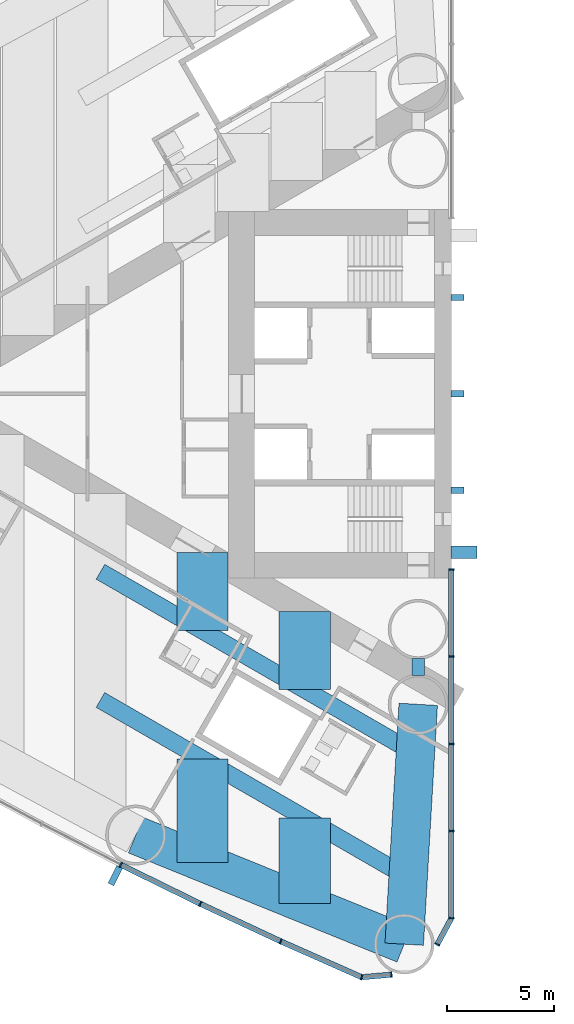
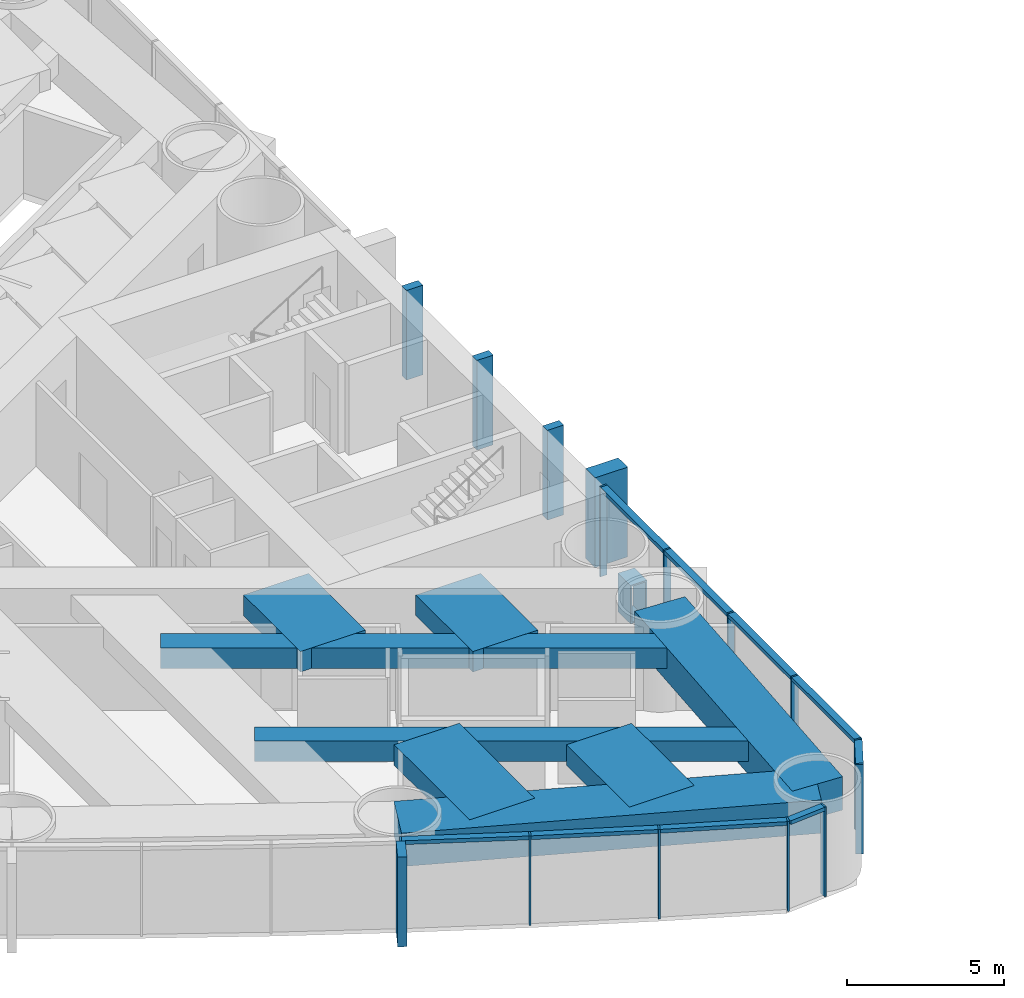
# One storey, part 3 of 19: 25 members, 9 beams, 2 elements without a shape of their own.
"""IFC4 building model written with IfcOpenShell, lengths in metres."""

from ifc_helpers import new_model, si_unit, direction, frame, origin, origin_2d, place, context, subcontext, project, spatial, rectangle, hollow_rectangle, extrude, material, material_profile, profile_set, type_object, element, aggregate, save


model = new_model("IFC4")

# Units and contexts
model_context = context("Model", 3, precision=1e-05, world=origin(), true_north=direction((0.0, 1.0)))
body_context = subcontext(model_context, "Body", "Model", "MODEL_VIEW")
ifc_project = project(units=[si_unit("LENGTHUNIT", "METRE"), si_unit("AREAUNIT", "SQUARE_METRE"), si_unit("VOLUMEUNIT", "CUBIC_METRE"), si_unit("PLANEANGLEUNIT", "RADIAN"), si_unit("MASSUNIT", "GRAM", prefix="KILO")], contexts=[model_context])

# Site, building, storey
site_placement = place(None, origin())
site = spatial("IfcSite", under=ifc_project, at=site_placement, CompositionType="ELEMENT")
building_placement = place(site_placement, origin())
building = spatial("IfcBuilding", under=site, at=building_placement, Name="Lancet Gate Hotel", CompositionType="ELEMENT")
storey_placement = place(building_placement, frame((0.0, 0.0, 28.5)))
storey = spatial("IfcBuildingStorey", under=building, at=storey_placement, Name="L06", CompositionType="ELEMENT", Elevation=28.5)

# Curtain wall, members
ifc_material_1 = material(Name="Aluminium curtain wall", Category="aluminium")
curtain_wall_type = type_object("IfcCurtainWallType", Name="Tower unitised curtain wall", PredefinedType="USERDEFINED", material=ifc_material_1)
curtain_wall_1_placement = place(storey_placement, origin())
curtain_wall_1 = element("IfcCurtainWall", 1, at=curtain_wall_1_placement, inside=storey, type_object=curtain_wall_type, Name="T1 L06 curtain wall 3", ObjectType="UNITISED CURTAIN WALL", PredefinedType="USERDEFINED")
ifc_material_2 = material(Name="Aluminium mullion", Category="aluminium")
ifc_material_profile_1 = material_profile(ifc_material_2, rectangle(XDim=0.06494140625, YDim=0.25, at=origin_2d()), Name="MULLION 65x250")
ifc_profile_set_1 = profile_set([ifc_material_profile_1], Name="Aluminium mullion")
member_type_1 = type_object("IfcMemberType", Name="Aluminium mullion 65x250", PredefinedType="MULLION", material=ifc_profile_set_1)
member_1_placement = place(storey_placement, frame((-42.94189453125, -21.991943359375, 0.0), z_axis=(0.0, 0.0, 1.0), x_axis=(0.893291549794, -0.449477704748, 0.0)))
member_1 = element("IfcMember", 2, at=member_1_placement, type_object=member_type_1, Name="T1 L06 curtain wall 3 mullion 11", PredefinedType="MULLION", context=body_context, shape_type="SweptSolid", body=[
    extrude(rectangle(XDim=0.06494140625, YDim=0.25, at=origin_2d()), origin(), (0.0, 0.0, 1.0), 3.5),
])
member_2_placement = place(storey_placement, frame((-39.225341796875, -23.816650390625, 0.0), z_axis=(0.0, 0.0, 1.0), x_axis=(0.901928838337, -0.431884672772, 0.0)))
member_2 = element("IfcMember", 3, at=member_2_placement, type_object=member_type_1, Name="T1 L06 curtain wall 3 mullion 12", PredefinedType="MULLION", context=body_context, shape_type="SweptSolid", body=[
    extrude(rectangle(XDim=0.06494140625, YDim=0.25, at=origin_2d()), origin(), (0.0, 0.0, 1.0), 3.5),
])
member_3_placement = place(storey_placement, frame((-35.473876953125, -25.568115234375, 0.0), z_axis=(0.0, 0.0, 1.0), x_axis=(0.910219680212, -0.414125746308, 0.0)))
member_3 = element("IfcMember", 4, at=member_3_placement, type_object=member_type_1, Name="T1 L06 curtain wall 3 mullion 13", PredefinedType="MULLION", context=body_context, shape_type="SweptSolid", body=[
    extrude(rectangle(XDim=0.06494140625, YDim=0.25, at=origin_2d()), origin(), (0.0, 0.0, 1.0), 3.5),
])
member_4_placement = place(storey_placement, frame((-31.688720703125, -27.24560546875, 0.0), z_axis=(0.0, 0.0, 1.0), x_axis=(0.957524354695, -0.288352406209, 0.0)))
member_4 = element("IfcMember", 5, at=member_4_placement, type_object=member_type_1, Name="T1 L06 curtain wall 3 mullion 14", PredefinedType="MULLION", context=body_context, shape_type="SweptSolid", body=[
    extrude(rectangle(XDim=0.06494140625, YDim=0.25, at=origin_2d()), origin(), (0.0, 0.0, 1.0), 3.5),
])
member_5_placement = place(storey_placement, frame((-30.3046875, -27.124755859375, 0.0), z_axis=(0.0, 0.0, 1.0), x_axis=(0.99620380374, 0.087051602022, 0.0)))
member_5 = element("IfcMember", 6, at=member_5_placement, type_object=member_type_1, Name="T1 L06 curtain wall 3 mullion 15", PredefinedType="MULLION", context=body_context, shape_type="SweptSolid", body=[
    extrude(rectangle(XDim=0.06494140625, YDim=0.25, at=origin_2d()), origin(), (0.0, 0.0, 1.0), 3.5),
])

curtain_wall_2_placement = place(storey_placement, origin())
curtain_wall_2 = element("IfcCurtainWall", 7, at=curtain_wall_2_placement, inside=storey, type_object=curtain_wall_type, Name="T1 L06 curtain wall 4", ObjectType="UNITISED CURTAIN WALL", PredefinedType="USERDEFINED")
member_6_placement = place(storey_placement, frame((-28.158935546875, -25.712890625, 0.0), z_axis=(0.0, 0.0, 1.0), x_axis=(0.474631040972, 0.880184852714, 0.0)))
member_6 = element("IfcMember", 8, at=member_6_placement, type_object=member_type_1, Name="T1 L06 curtain wall 4 mullion 1", PredefinedType="MULLION", context=body_context, shape_type="SweptSolid", body=[
    extrude(rectangle(XDim=0.06494140625, YDim=0.25, at=origin_2d()), origin(), (0.0, 0.0, 1.0), 3.5),
])
member_7_placement = place(storey_placement, frame((-27.5, -24.4912109375, 0.0), z_axis=(0.0, 0.0, 1.0), x_axis=(0.123482502544, 0.992346749662, 0.0)))
member_7 = element("IfcMember", 9, at=member_7_placement, type_object=member_type_1, Name="T1 L06 curtain wall 4 mullion 2", PredefinedType="MULLION", context=body_context, shape_type="SweptSolid", body=[
    extrude(rectangle(XDim=0.06494140625, YDim=0.25, at=origin_2d()), origin(), (0.0, 0.0, 1.0), 3.5),
])
member_8_placement = place(storey_placement, frame((-27.5, -20.41845703125, 0.0), z_axis=(0.0, 0.0, 1.0), x_axis=(0.0, 1.0, 0.0)))
member_8 = element("IfcMember", 10, at=member_8_placement, type_object=member_type_1, Name="T1 L06 curtain wall 4 mullion 3", PredefinedType="MULLION", context=body_context, shape_type="SweptSolid", body=[
    extrude(rectangle(XDim=0.06494140625, YDim=0.25, at=origin_2d()), origin(), (0.0, 0.0, 1.0), 3.5),
])
member_9_placement = place(storey_placement, frame((-27.5, -16.345703125, 0.0), z_axis=(0.0, 0.0, 1.0), x_axis=(0.0, 1.0, 0.0)))
member_9 = element("IfcMember", 11, at=member_9_placement, type_object=member_type_1, Name="T1 L06 curtain wall 4 mullion 4", PredefinedType="MULLION", context=body_context, shape_type="SweptSolid", body=[
    extrude(rectangle(XDim=0.06494140625, YDim=0.25, at=origin_2d()), origin(), (0.0, 0.0, 1.0), 3.5),
])
member_10_placement = place(storey_placement, frame((-27.5, -12.272705078125, 0.0), z_axis=(0.0, 0.0, 1.0), x_axis=(0.0, 1.0, 0.0)))
member_10 = element("IfcMember", 12, at=member_10_placement, type_object=member_type_1, Name="T1 L06 curtain wall 4 mullion 5", PredefinedType="MULLION", context=body_context, shape_type="SweptSolid", body=[
    extrude(rectangle(XDim=0.06494140625, YDim=0.25, at=origin_2d()), origin(), (0.0, 0.0, 1.0), 3.5),
])
member_11_placement = place(storey_placement, frame((-27.5, -8.199951171875, 0.0), z_axis=(0.0, 0.0, 1.0), x_axis=(0.0, 1.0, 0.0)))
member_11 = element("IfcMember", 13, at=member_11_placement, type_object=member_type_1, Name="T1 L06 curtain wall 4 mullion 6", PredefinedType="MULLION", context=body_context, shape_type="SweptSolid", body=[
    extrude(rectangle(XDim=0.06494140625, YDim=0.25, at=origin_2d()), origin(), (0.0, 0.0, 1.0), 3.5),
])

# Member
ifc_material_3 = material(Name="Aluminium transom", Category="aluminium")
ifc_material_profile_2 = material_profile(ifc_material_3, rectangle(XDim=0.25, YDim=0.14990234375, at=origin_2d()), Name="TRANSOM 250x150")
ifc_profile_set_2 = profile_set([ifc_material_profile_2], Name="Aluminium transom")
member_type_2 = type_object("IfcMemberType", Name="Aluminium transom 250x150", PredefinedType="USERDEFINED", material=ifc_profile_set_2)
member_12_placement = place(storey_placement, frame((-42.912841796875, -22.00634765625, 3.425048828125), z_axis=(0.897662439958, -0.440683723194, 0.0), x_axis=(0.440683723194, 0.897662439958, 0.0)))
member_12 = element("IfcMember", 14, at=member_12_placement, type_object=member_type_2, Name="T1 L06 curtain wall 3 transom 11", ObjectType="TRANSOM", PredefinedType="USERDEFINED", context=body_context, shape_type="SweptSolid", body=[
    extrude(rectangle(XDim=0.25, YDim=0.14990234375, at=origin_2d()), origin(), (0.0, 0.0, 1.0), 4.0751953125),
])

member_13_placement = place(storey_placement, frame((-39.196044921875, -23.830322265625, 3.425048828125), z_axis=(0.906109667261, -0.423042871228, 0.0), x_axis=(0.423042871228, 0.906109667261, 0.0)))
member_13 = element("IfcMember", 15, at=member_13_placement, type_object=member_type_2, Name="T1 L06 curtain wall 3 transom 12", ObjectType="TRANSOM", PredefinedType="USERDEFINED", context=body_context, shape_type="SweptSolid", body=[
    extrude(rectangle(XDim=0.25, YDim=0.14990234375, at=origin_2d()), origin(), (0.0, 0.0, 1.0), 4.075439453125),
])

member_14_placement = place(storey_placement, frame((-35.444091796875, -25.581298828125, 3.425048828125), z_axis=(0.914248281954, -0.405154389022, 0.0), x_axis=(0.405154389022, 0.914248281954, 0.0)))
member_14 = element("IfcMember", 16, at=member_14_placement, type_object=member_type_2, Name="T1 L06 curtain wall 3 transom 13", ObjectType="TRANSOM", PredefinedType="USERDEFINED", context=body_context, shape_type="SweptSolid", body=[
    extrude(rectangle(XDim=0.25, YDim=0.14990234375, at=origin_2d()), origin(), (0.0, 0.0, 1.0), 4.0751953125),
])

member_15_placement = place(storey_placement, frame((-31.65625, -27.242919921875, 3.425048828125), z_axis=(0.99620591587, 0.087027427779, 0.0), x_axis=(-0.087027427779, 0.99620591587, 0.0)))
member_15 = element("IfcMember", 17, at=member_15_placement, type_object=member_type_2, Name="T1 L06 curtain wall 3 transom 14", ObjectType="TRANSOM", PredefinedType="USERDEFINED", context=body_context, shape_type="SweptSolid", body=[
    extrude(rectangle(XDim=0.25, YDim=0.14990234375, at=origin_2d()), origin(), (0.0, 0.0, 1.0), 1.32421875),
])

member_16_placement = place(storey_placement, frame((-28.143310546875, -25.684326171875, 3.425048828125), z_axis=(0.474605926905, 0.880198394765, 0.0), x_axis=(-0.880198394765, 0.474605926905, 0.0)))
member_16 = element("IfcMember", 18, at=member_16_placement, type_object=member_type_2, Name="T1 L06 curtain wall 4 transom 1", ObjectType="TRANSOM", PredefinedType="USERDEFINED", context=body_context, shape_type="SweptSolid", body=[
    extrude(rectangle(XDim=0.25, YDim=0.14990234375, at=origin_2d()), origin(), (0.0, 0.0, 1.0), 1.322998046875),
])

member_17_placement = place(storey_placement, frame((-27.5, -24.458740234375, 3.425048828125), z_axis=(0.0, 1.0, 0.0), x_axis=(-1.0, 0.0, 0.0)))
member_17 = element("IfcMember", 19, at=member_17_placement, type_object=member_type_2, Name="T1 L06 curtain wall 4 transom 2", ObjectType="TRANSOM", PredefinedType="USERDEFINED", context=body_context, shape_type="SweptSolid", body=[
    extrude(rectangle(XDim=0.25, YDim=0.14990234375, at=origin_2d()), origin(), (0.0, 0.0, 1.0), 4.0078125),
])

member_18_placement = place(storey_placement, frame((-27.5, -20.385986328125, 3.425048828125), z_axis=(0.0, 1.0, 0.0), x_axis=(-1.0, 0.0, 0.0)))
member_18 = element("IfcMember", 20, at=member_18_placement, type_object=member_type_2, Name="T1 L06 curtain wall 4 transom 3", ObjectType="TRANSOM", PredefinedType="USERDEFINED", context=body_context, shape_type="SweptSolid", body=[
    extrude(rectangle(XDim=0.25, YDim=0.14990234375, at=origin_2d()), origin(), (0.0, 0.0, 1.0), 4.0078125),
])

member_19_placement = place(storey_placement, frame((-27.5, -16.31298828125, 3.425048828125), z_axis=(0.0, 1.0, 0.0), x_axis=(-1.0, 0.0, 0.0)))
member_19 = element("IfcMember", 21, at=member_19_placement, type_object=member_type_2, Name="T1 L06 curtain wall 4 transom 4", ObjectType="TRANSOM", PredefinedType="USERDEFINED", context=body_context, shape_type="SweptSolid", body=[
    extrude(rectangle(XDim=0.25, YDim=0.14990234375, at=origin_2d()), origin(), (0.0, 0.0, 1.0), 4.0078125),
])

member_20_placement = place(storey_placement, frame((-27.5, -12.240234375, 3.425048828125), z_axis=(0.0, 1.0, 0.0), x_axis=(-1.0, 0.0, 0.0)))
member_20 = element("IfcMember", 22, at=member_20_placement, type_object=member_type_2, Name="T1 L06 curtain wall 4 transom 5", ObjectType="TRANSOM", PredefinedType="USERDEFINED", context=body_context, shape_type="SweptSolid", body=[
    extrude(rectangle(XDim=0.25, YDim=0.14990234375, at=origin_2d()), origin(), (0.0, 0.0, 1.0), 4.0078125),
])

aggregate(curtain_wall_2, [member_6, member_7, member_8, member_9, member_10, member_11, member_16, member_17, member_18, member_19, member_20])

# Beams
ifc_material_4 = material(Name="Concrete C50/60", Category="concrete")
ifc_material_profile_3 = material_profile(ifc_material_4, rectangle(XDim=1.800048828125, YDim=1.300048828125, at=origin_2d()), Name="RC 1800x1300")
ifc_profile_set_3 = profile_set([ifc_material_profile_3], Name="Concrete C50/60")
beam_type_1 = type_object("IfcBeamType", Name="Edge beam RC 1800x1300", PredefinedType="SPANDREL", material=ifc_profile_set_3)
beam_1_placement = place(storey_placement, frame((-42.2451171875, -20.607421875, 2.60009765625), z_axis=(0.926463236197, -0.376385270667, 0.0), x_axis=(0.376385270667, 0.926463236197, 0.0)))
element("IfcBeam", 23, at=beam_1_placement, inside=storey, type_object=beam_type_1, Name="T1 edge beam EB1 L06", PredefinedType="SPANDREL", context=body_context, shape_type="SweptSolid", body=[
    extrude(rectangle(XDim=1.800048828125, YDim=1.300048828125, at=origin_2d()), origin(), (0.0, 0.0, 1.0), 13.537353515625),
])
beam_2_placement = place(storey_placement, frame((-29.050048828125, -14.5, 2.60009765625), z_axis=(-0.058219521912, -0.998303805096, 0.0), x_axis=(0.998303805096, -0.058219521912, 0.0)))
element("IfcBeam", 24, at=beam_2_placement, inside=storey, type_object=beam_type_1, Name="T1 edge beam EB1 L06", PredefinedType="SPANDREL", context=body_context, shape_type="SweptSolid", body=[
    extrude(rectangle(XDim=1.800048828125, YDim=1.300048828125, at=origin_2d()), origin(), (0.0, 0.0, 1.0), 11.2216796875),
])

# Member
ifc_material_5 = material(Name="Concrete C60/75", Category="concrete")
ifc_material_profile_4 = material_profile(ifc_material_5, rectangle(XDim=0.60009765625, YDim=1.199951171875, at=origin_2d()), Name="FIN 600x1200")
ifc_profile_set_4 = profile_set([ifc_material_profile_4], Name="Concrete C60/75")
member_type_3 = type_object("IfcMemberType", Name="Exposed concrete buttress pilaster 600x1200", PredefinedType="USERDEFINED", material=ifc_profile_set_4)
member_21_placement = place(storey_placement, frame((-26.909912109375, -7.39990234375, 0.0), z_axis=(0.0, 0.0, 1.0), x_axis=(0.0, 1.0, 0.0)))
element("IfcMember", 25, at=member_21_placement, inside=storey, type_object=member_type_3, Name="T1 buttress pilaster N L06", ObjectType="FIN", PredefinedType="USERDEFINED", context=body_context, shape_type="SweptSolid", body=[
    extrude(rectangle(XDim=0.60009765625, YDim=1.199951171875, at=origin_2d()), origin(), (0.0, 0.0, 1.0), 3.5),
])

ifc_material_6 = material(Name="Precast concrete C50/60", Category="concrete")
ifc_material_profile_5 = material_profile(ifc_material_6, rectangle(XDim=0.300048828125, YDim=0.89990234375, at=origin_2d()), Name="FIN 300x900")
ifc_profile_set_5 = profile_set([ifc_material_profile_5], Name="Precast concrete C50/60")
member_type_4 = type_object("IfcMemberType", Name="Exposed concrete fin 300x900", PredefinedType="USERDEFINED", material=ifc_profile_set_5)
member_22_placement = place(storey_placement, frame((-43.200439453125, -22.505615234375, 0.0), z_axis=(0.0, 0.0, 1.0), x_axis=(0.893291549794, -0.449477704748, 0.0)))
member_22 = element("IfcMember", 26, at=member_22_placement, type_object=member_type_4, Name="T1 L06 curtain wall 3 fin 11", ObjectType="FIN", PredefinedType="USERDEFINED", context=body_context, shape_type="SweptSolid", body=[
    extrude(rectangle(XDim=0.300048828125, YDim=0.89990234375, at=origin_2d()), origin(), (0.0, 0.0, 1.0), 3.5),
])

aggregate(curtain_wall_1, [member_1, member_22, member_2, member_3, member_4, member_5, member_12, member_13, member_14, member_15])

# Members
ifc_material_7 = material(Name="Concrete C60/75", Category="concrete")
ifc_material_profile_6 = material_profile(ifc_material_7, rectangle(XDim=0.300048828125, YDim=0.60009765625, at=origin_2d()), Name="FIN 300x600")
ifc_profile_set_6 = profile_set([ifc_material_profile_6], Name="Concrete C60/75")
member_type_5 = type_object("IfcMemberType", Name="Exposed concrete rib 300x600", PredefinedType="USERDEFINED", material=ifc_profile_set_6)
for number, where, z_axis, x_axis, name in (
    (27, (-27.2099609375, 4.5, 0.0), (0.0, 0.0, 1.0), (0.0, 1.0, 0.0), "T1 core rib 1 L06"),
    (28, (-27.2099609375, 0.0, 0.0), (0.0, 0.0, 1.0), (0.0, 1.0, 0.0), "T1 core rib 2 L06"),
    (29, (-27.2099609375, -4.5, 0.0), (0.0, 0.0, 1.0), (0.0, 1.0, 0.0), "T1 core rib 3 L06"),
):
    element("IfcMember", number, at=place(storey_placement, frame(where, z_axis=z_axis, x_axis=x_axis)), inside=storey, type_object=member_type_5, Name=name, ObjectType="FIN", PredefinedType="USERDEFINED", context=body_context, shape_type="SweptSolid", body=[
        extrude(rectangle(XDim=0.300048828125, YDim=0.60009765625, at=origin_2d()), origin(), (0.0, 0.0, 1.0), 3.5),
    ])

# Beams
ifc_material_8 = material(Name="Concrete C50/60", Category="concrete")
ifc_material_profile_7 = material_profile(ifc_material_8, rectangle(XDim=2.39990234375, YDim=0.800048828125, at=origin_2d()), Name="RC 2400x800")
ifc_profile_set_7 = profile_set([ifc_material_profile_7], Name="Concrete C50/60")
beam_type_2 = type_object("IfcBeamType", Name="Floor beam RC 2400x800", PredefinedType="BEAM", material=ifc_profile_set_7)
beam_3_placement = place(storey_placement, frame((-34.353515625, -10.169921875, 2.85009765625), z_axis=(0.0, -1.0, 0.0), x_axis=(1.0, 0.0, 0.0)))
element("IfcBeam", 30, at=beam_3_placement, inside=storey, type_object=beam_type_2, Name="T1 floor beam F03NA L06", PredefinedType="BEAM", context=body_context, shape_type="SweptSolid", body=[
    extrude(rectangle(XDim=2.39990234375, YDim=0.800048828125, at=origin_2d()), origin(), (0.0, 0.0, 1.0), 3.645751953125),
])
beam_4_placement = place(storey_placement, frame((-34.353515625, -19.802978515625, 2.85009765625), z_axis=(0.0, -1.0, 0.0), x_axis=(1.0, 0.0, 0.0)))
element("IfcBeam", 31, at=beam_4_placement, inside=storey, type_object=beam_type_2, Name="T1 floor beam F03NB L06", PredefinedType="BEAM", context=body_context, shape_type="SweptSolid", body=[
    extrude(rectangle(XDim=2.39990234375, YDim=0.800048828125, at=origin_2d()), origin(), (0.0, 0.0, 1.0), 4.010498046875),
])
beam_5_placement = place(storey_placement, frame((-39.122314453125, -7.41650390625, 2.85009765625), z_axis=(0.0, -1.0, 0.0), x_axis=(1.0, 0.0, 0.0)))
element("IfcBeam", 32, at=beam_5_placement, inside=storey, type_object=beam_type_2, Name="T1 floor beam F06NA L06", PredefinedType="BEAM", context=body_context, shape_type="SweptSolid", body=[
    extrude(rectangle(XDim=2.39990234375, YDim=0.800048828125, at=origin_2d()), origin(), (0.0, 0.0, 1.0), 3.64599609375),
])
beam_6_placement = place(storey_placement, frame((-39.122314453125, -17.0498046875, 2.85009765625), z_axis=(0.0, -1.0, 0.0), x_axis=(1.0, 0.0, 0.0)))
element("IfcBeam", 33, at=beam_6_placement, inside=storey, type_object=beam_type_2, Name="T1 floor beam F06NB L06", PredefinedType="BEAM", context=body_context, shape_type="SweptSolid", body=[
    extrude(rectangle(XDim=2.39990234375, YDim=0.800048828125, at=origin_2d()), origin(), (0.0, 0.0, 1.0), 4.826416015625),
])
ifc_material_9 = material(Name="Steel S460QL", Category="steel")
ifc_material_profile_8 = material_profile(ifc_material_9, hollow_rectangle(XDim=0.60009765625, YDim=1.5, WallThickness=0.050048828125, at=origin_2d()), Name="BOX 1500x600x50")
ifc_profile_set_8 = profile_set([ifc_material_profile_8], Name="Steel S460QL")
beam_type_3 = type_object("IfcBeamType", Name="Inner-face link beam BOX 1500x600x50", PredefinedType="BEAM", material=ifc_profile_set_8)
beam_7_placement = place(storey_placement, frame((-29.050048828125, -12.35009765625, 2.5), z_axis=(0.0, -1.0, 0.0), x_axis=(1.0, 0.0, 0.0)))
element("IfcBeam", 34, at=beam_7_placement, inside=storey, type_object=beam_type_3, Name="T1 inner-face link beam LK1 L06", PredefinedType="BEAM", context=body_context, shape_type="SweptSolid", body=[
    extrude(hollow_rectangle(XDim=0.60009765625, YDim=1.5, WallThickness=0.050048828125, at=origin_2d()), origin(), (0.0, 0.0, 1.0), 0.7998046875),
])
ifc_material_10 = material(Name="Steel S460QL", Category="steel")
ifc_material_profile_9 = material_profile(ifc_material_10, hollow_rectangle(XDim=0.800048828125, YDim=0.800048828125, WallThickness=0.080078125, at=origin_2d()), Name="BOX 800x800x80")
ifc_profile_set_9 = profile_set([ifc_material_profile_9], Name="Steel S460QL")
beam_type_4 = type_object("IfcBeamType", Name="Trimmer beam BOX 800x800x80", PredefinedType="BEAM", material=ifc_profile_set_9)
for number, where, z_axis, x_axis, name in (
    (35, (-29.58447265625, -22.55615234375, 2.85009765625), (-0.866040141834, 0.49997447208, 0.0), (-0.49997447208, -0.866040141834, 0.0), "T1 trimmer beam TR03N L06"),
    (36, (-29.58447265625, -16.56884765625, 2.85009765625), (-0.866040141834, 0.49997447208, 0.0), (-0.49997447208, -0.866040141834, 0.0), "T1 trimmer beam TR04N L06"),
):
    element("IfcBeam", number, at=place(storey_placement, frame(where, z_axis=z_axis, x_axis=x_axis)), inside=storey, type_object=beam_type_4, Name=name, PredefinedType="BEAM", context=body_context, shape_type="SweptSolid", body=[
        extrude(hollow_rectangle(XDim=0.800048828125, YDim=0.800048828125, WallThickness=0.080078125, at=origin_2d()), origin(), (0.0, 0.0, 1.0), 16.519775390625),
    ])

save(model, "model.ifc")
